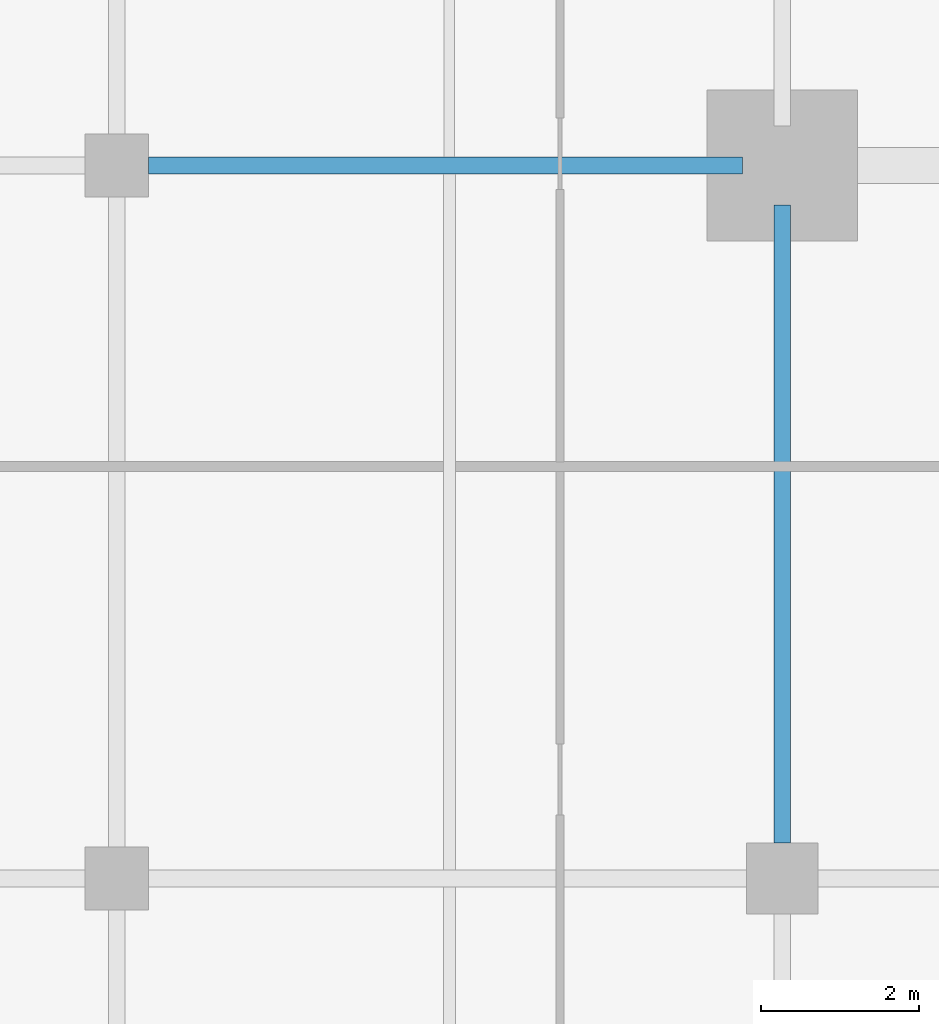
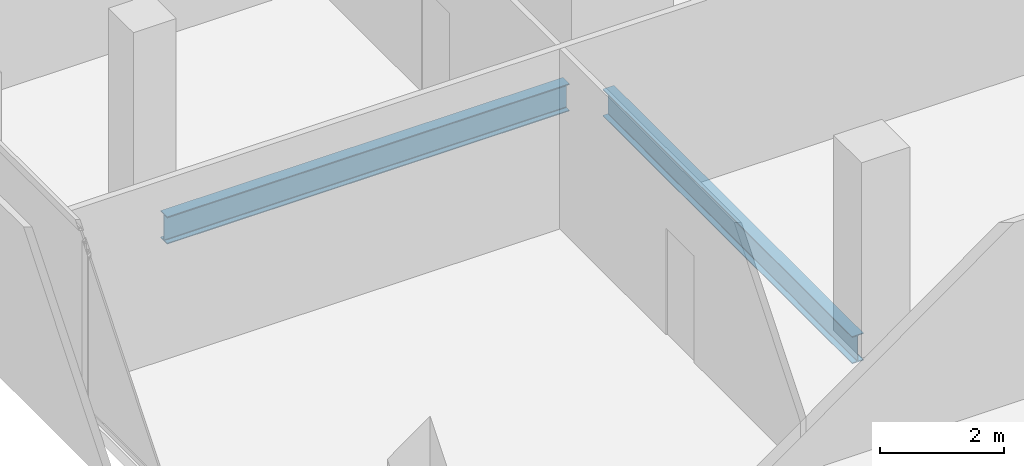
# One storey, part 9 of 32: 2 beams.
"""IFC4 building model written with IfcOpenShell, lengths in metres."""

from ifc_helpers import new_model, si_unit, direction, frame, origin, origin_2d, place, context, subcontext, project, spatial, i_section, extrude, material, material_profile, profile_set, type_object, element, save


model = new_model("IFC4")

# Units and contexts
model_context = context("Model", 3, precision=1e-05, world=origin(), true_north=direction((0.0, 1.0)))
body_context = subcontext(model_context, "Body", "Model", "MODEL_VIEW")
ifc_project = project(units=[si_unit("LENGTHUNIT", "METRE"), si_unit("AREAUNIT", "SQUARE_METRE"), si_unit("VOLUMEUNIT", "CUBIC_METRE"), si_unit("PLANEANGLEUNIT", "RADIAN"), si_unit("MASSUNIT", "GRAM", prefix="KILO")], contexts=[model_context])

# Site, building, storey
site_placement = place(None, origin())
site = spatial("IfcSite", under=ifc_project, at=site_placement, CompositionType="ELEMENT")
building_placement = place(site_placement, origin())
building = spatial("IfcBuilding", under=site, at=building_placement, Name="Maruvema Waterfront Hotel and Observation Tower", CompositionType="ELEMENT")
storey_placement = place(building_placement, frame((0.0, 0.0, 223.64990234375)))
storey = spatial("IfcBuildingStorey", under=building, at=storey_placement, Name="L55", CompositionType="ELEMENT", Elevation=223.64990234375)

# Beams
ifc_material = material(Name="Steel ASTM A572 Grade 50", Category="steel")
ifc_material_profile = material_profile(ifc_material, i_section(OverallWidth=0.2109375, OverallDepth=0.5390625, WebThickness=0.01171875, FlangeThickness=0.018798828125, FilletRadius=0.014892578125, at=origin_2d()), Name="W530x109.0")
ifc_profile_set = profile_set([ifc_material_profile], Name="Steel ASTM A572 Grade 50")
beam_type = type_object("IfcBeamType", Name="Primary Floor Girder W530x109.0", PredefinedType="BEAM", material=ifc_profile_set)
beam_1_placement = place(storey_placement, frame((17.199951171875, 27.0, -0.509521484375), z_axis=(1.0, 0.0, 0.0), x_axis=(0.0, 1.0, 0.0)))
element("IfcBeam", 1, at=beam_1_placement, inside=storey, type_object=beam_type, Name="L55 Floor Girder EW-19", PredefinedType="BEAM", context=body_context, shape_type="SweptSolid", body=[
    extrude(i_section(OverallWidth=0.2109375, OverallDepth=0.5390625, WebThickness=0.01171875, FlangeThickness=0.018798828125, FilletRadius=0.014892578125, at=origin_2d()), origin(), (0.0, 0.0, 1.0), 7.5),
])
beam_2_placement = place(storey_placement, frame((25.199951171875, 18.449951171875, -0.509521484375), z_axis=(0.0, 1.0, 0.0), x_axis=(-1.0, 0.0, 0.0)))
element("IfcBeam", 2, at=beam_2_placement, inside=storey, type_object=beam_type, Name="L55 Floor Girder NS-11", PredefinedType="BEAM", context=body_context, shape_type="SweptSolid", body=[
    extrude(i_section(OverallWidth=0.2109375, OverallDepth=0.5390625, WebThickness=0.01171875, FlangeThickness=0.018798828125, FilletRadius=0.014892578125, at=origin_2d()), origin(), (0.0, 0.0, 1.0), 8.050048828125),
])

save(model, "model.ifc")
